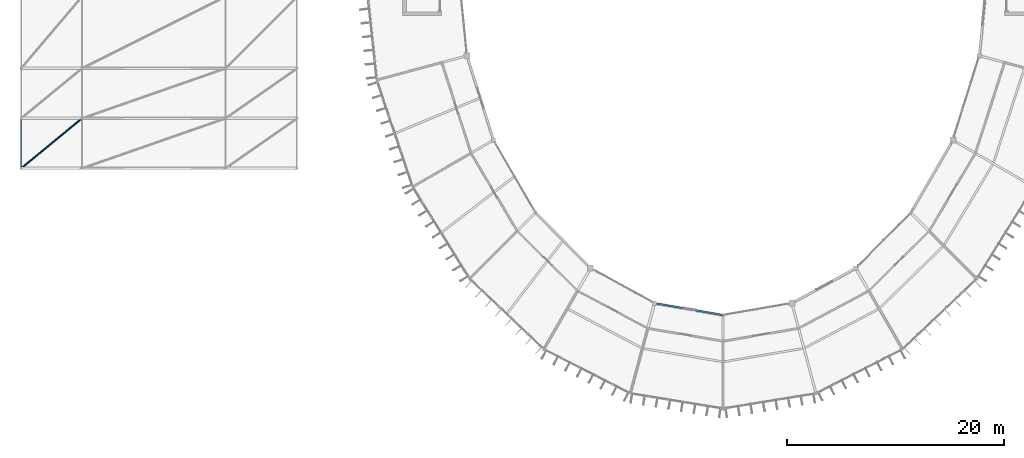
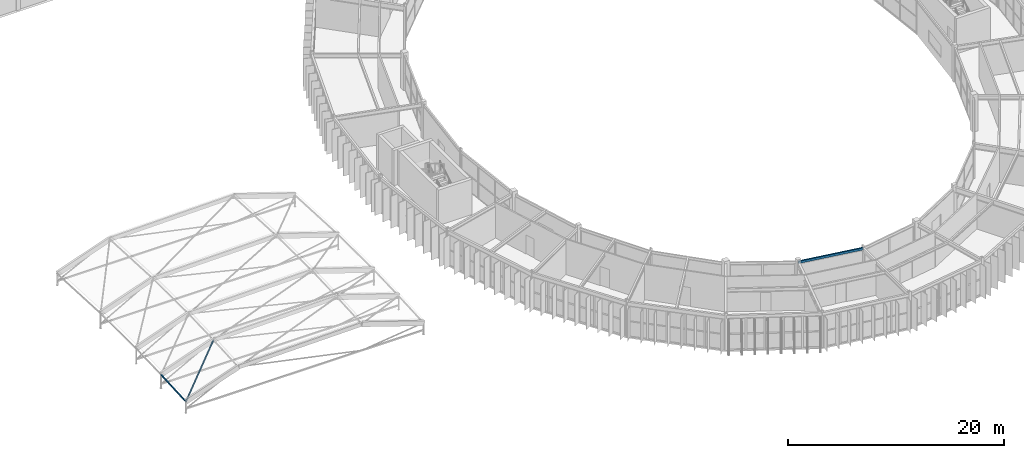
# One storey, part 29 of 134: 2 members, 1 beam.
"""IFC4 building model written with IfcOpenShell, lengths in metres."""

from ifc_helpers import new_model, si_unit, direction, frame, origin, origin_2d, place, context, subcontext, project, spatial, hollow_rectangle, hollow_circle, extrude, material, material_profile, profile_set, type_object, element, save


model = new_model("IFC4")

# Units and contexts
model_context = context("Model", 3, precision=1e-05, world=origin(), true_north=direction((0.0, 1.0)))
body_context = subcontext(model_context, "Body", "Model", "MODEL_VIEW")
ifc_project = project(units=[si_unit("LENGTHUNIT", "METRE"), si_unit("AREAUNIT", "SQUARE_METRE"), si_unit("VOLUMEUNIT", "CUBIC_METRE"), si_unit("PLANEANGLEUNIT", "RADIAN"), si_unit("MASSUNIT", "GRAM", prefix="KILO")], contexts=[model_context])

# Site, building, storey
site_placement = place(None, origin())
site = spatial("IfcSite", under=ifc_project, at=site_placement, CompositionType="ELEMENT")
building_placement = place(site_placement, origin())
building = spatial("IfcBuilding", under=site, at=building_placement, Name="Karori Crest Natural Sciences Institute", CompositionType="ELEMENT")
storey_placement = place(building_placement, frame((0.0, 0.0, 21.699951171875)))
storey = spatial("IfcBuildingStorey", under=building, at=storey_placement, Name="L05", CompositionType="ELEMENT", Elevation=21.699951171875)

# Beam
ifc_material = material(Name="Hollow structural steel AS/NZS 1163 Grade C350", Category="steel")
ifc_material_profile_1 = material_profile(ifc_material, hollow_rectangle(XDim=0.14990234375, YDim=0.25, WallThickness=0.009033203125, at=origin_2d()), Name="RHS250x150x9")
ifc_profile_set_1 = profile_set([ifc_material_profile_1], Name="Hollow structural steel AS/NZS 1163 Grade C350")
beam_type = type_object("IfcBeamType", Name="BT-16", PredefinedType="SPANDREL", material=ifc_profile_set_1)
beam_placement = place(storey_placement, frame((60.084716796875, 18.797119140625, 3.7900390625), z_axis=(0.985241372425, -0.17117078624, 0.0), x_axis=(0.17117078624, 0.985241372425, 0.0)))
element("IfcBeam", 1, at=beam_placement, inside=storey, type_object=beam_type, Name="Beam B-0593", PredefinedType="SPANDREL", context=body_context, shape_type="SweptSolid", body=[
    extrude(hollow_rectangle(XDim=0.14990234375, YDim=0.25, WallThickness=0.009033203125, at=origin_2d()), origin(), (0.0, 0.0, 1.0), 6.40966796875),
])

# Members
ifc_material_profile_2 = material_profile(ifc_material, hollow_circle(Radius=0.084228515625, WallThickness=0.007080078125, at=origin_2d()), Name="CHS168.3x7.1")
ifc_profile_set_2 = profile_set([ifc_material_profile_2], Name="Hollow structural steel AS/NZS 1163 Grade C350")
member_type_1 = type_object("IfcMemberType", Name="MT-03", PredefinedType="BRACE", material=ifc_profile_set_2)
member_1_placement = place(storey_placement, frame((1.800048828125, 31.199951171875, 0.91015625), z_axis=(0.738942414479, 0.607017176335, 0.292394007665), x_axis=(-0.634757383509, 0.772711501196, 0.0)))
element("IfcMember", 2, at=member_1_placement, inside=storey, type_object=member_type_1, Name="Diagonal Brace M-0357", PredefinedType="BRACE", context=body_context, shape_type="SweptSolid", body=[
    extrude(hollow_circle(Radius=0.084228515625, WallThickness=0.007080078125, at=origin_2d()), origin(), (0.0, 0.0, 1.0), 7.578125),
])
ifc_material_profile_3 = material_profile(ifc_material, hollow_rectangle(XDim=0.10009765625, YDim=0.14990234375, WallThickness=0.006103515625, at=origin_2d()), Name="RHS150x100x6")
ifc_profile_set_3 = profile_set([ifc_material_profile_3], Name="Hollow structural steel AS/NZS 1163 Grade C350")
member_type_2 = type_object("IfcMemberType", Name="MT-11", PredefinedType="PURLIN", material=ifc_profile_set_3)
member_2_placement = place(storey_placement, frame((1.800048828125, 31.199951171875, 0.91015625), z_axis=(0.0, 0.998447936655, 0.055693067691), x_axis=(-1.0, 0.0, 0.0)))
element("IfcMember", 3, at=member_2_placement, inside=storey, type_object=member_type_2, Name="Member M-0356", PredefinedType="PURLIN", context=body_context, shape_type="SweptSolid", body=[
    extrude(hollow_rectangle(XDim=0.10009765625, YDim=0.14990234375, WallThickness=0.006103515625, at=origin_2d()), origin(), (0.0, 0.0, 1.0), 4.607177734375),
])

save(model, "model.ifc")
